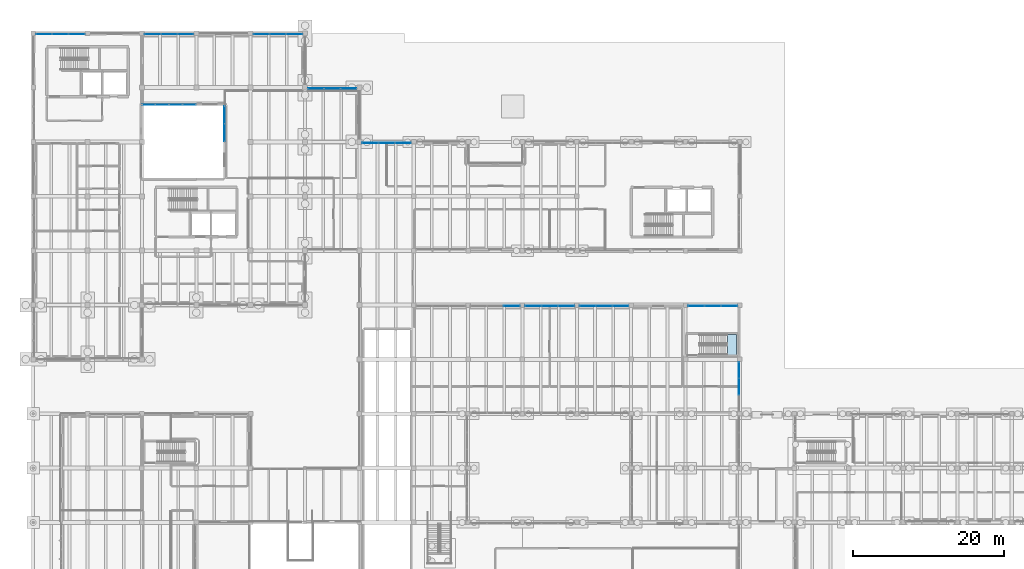
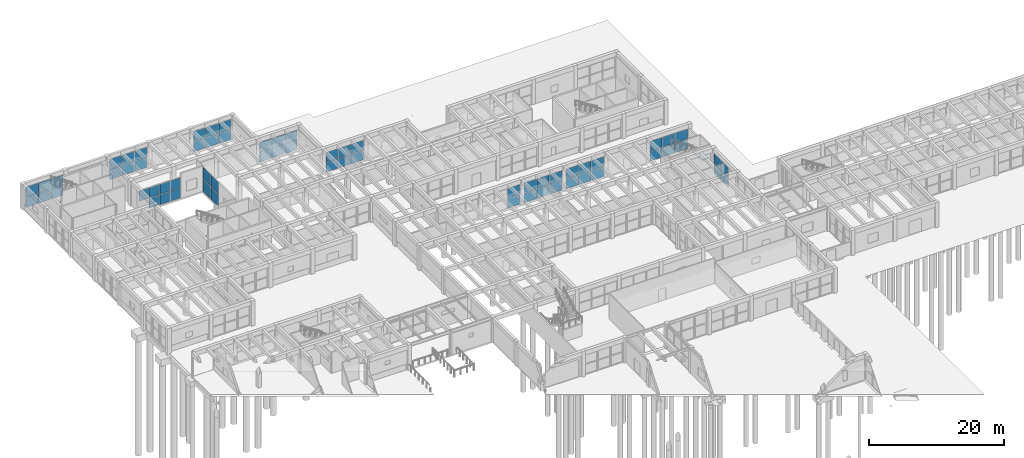
# One storey, part 114 of 155: 65 plates, 1 slab, 13 elements without a shape of their own.
"""IFC4 building model written with IfcOpenShell, lengths in metres."""

from ifc_helpers import new_model, si_unit, direction, frame, origin, origin_2d, place, context, subcontext, project, spatial, polyline, rectangle, outline, extrude, material, layer, layer_set, type_object, element, aggregate, save


model = new_model("IFC4")

# Units and contexts
model_context = context("Model", 3, precision=1e-05, world=origin(), true_north=direction((0.0, 1.0)))
body_context = subcontext(model_context, "Body", "Model", "MODEL_VIEW")
ifc_project = project(units=[si_unit("LENGTHUNIT", "METRE"), si_unit("AREAUNIT", "SQUARE_METRE"), si_unit("VOLUMEUNIT", "CUBIC_METRE"), si_unit("PLANEANGLEUNIT", "RADIAN"), si_unit("MASSUNIT", "GRAM", prefix="KILO")], contexts=[model_context])

# Site, building, storey
site_placement = place(None, origin())
site = spatial("IfcSite", under=ifc_project, at=site_placement, CompositionType="ELEMENT")
building_placement = place(site_placement, origin())
building = spatial("IfcBuilding", under=site, at=building_placement, Name="Bramvelor Terrace Health Centre", CompositionType="ELEMENT")
storey_placement = place(building_placement, origin())
storey = spatial("IfcBuildingStorey", under=building, at=storey_placement, Name="L01", CompositionType="ELEMENT", Elevation=0.0)

# Curtain wall, plates
ifc_material_1 = material(Name="Anodized aluminium and double low-E glass", Category="aluminium")
curtain_wall_type_1 = type_object("IfcCurtainWallType", Name="CW-SYS-05", PredefinedType="NOTDEFINED", material=ifc_material_1)
curtain_wall_1_placement = place(storey_placement, origin())
curtain_wall_1 = element("IfcCurtainWall", 1, at=curtain_wall_1_placement, inside=storey, type_object=curtain_wall_type_1, Name="L01 Unitized Curtain Wall 18", PredefinedType="NOTDEFINED")
ifc_material_2 = material(Name="Double low-E laminated glass", Category="glass")
ifc_layer_1 = layer(ifc_material_2, 0.028076171875)
ifc_layer_set_1 = layer_set([ifc_layer_1], Name="Double low-E laminated glass")
plate_type = type_object("IfcPlateType", Name="CW-PNL-GLZ28", PredefinedType="CURTAIN_PANEL", material=ifc_layer_set_1)
plate_1_placement = place(storey_placement, frame((1.43212890625, 115.070068359375, 0.06494140625), z_axis=(0.0, 0.0, 1.0), x_axis=(1.0, 0.0, 0.0)))
plate_1 = element("IfcPlate", 2, at=plate_1_placement, type_object=plate_type, Name="CW-05 panel 1.1", PredefinedType="CURTAIN_PANEL", context=body_context, shape_type="SweptSolid", body=[
    extrude(rectangle(XDim=2.07421875, YDim=0.028076171875, at=origin_2d()), origin(), (0.0, 0.0, 1.0), 1.8125),
])
plate_2_placement = place(storey_placement, frame((1.43212890625, 115.070068359375, 1.9423828125), z_axis=(0.0, 0.0, 1.0), x_axis=(1.0, 0.0, 0.0)))
plate_2 = element("IfcPlate", 3, at=plate_2_placement, type_object=plate_type, Name="CW-05 panel 1.2", PredefinedType="CURTAIN_PANEL", context=body_context, shape_type="SweptSolid", body=[
    extrude(rectangle(XDim=2.07421875, YDim=0.028076171875, at=origin_2d()), origin(), (0.0, 0.0, 1.0), 1.8125),
])
plate_3_placement = place(storey_placement, frame((3.60009765625, 115.070068359375, 0.06494140625), z_axis=(0.0, 0.0, 1.0), x_axis=(1.0, 0.0, 0.0)))
plate_3 = element("IfcPlate", 4, at=plate_3_placement, type_object=plate_type, Name="CW-05 panel 2.1", PredefinedType="CURTAIN_PANEL", context=body_context, shape_type="SweptSolid", body=[
    extrude(rectangle(XDim=2.111572265625, YDim=0.028076171875, at=origin_2d()), origin(), (0.0, 0.0, 1.0), 1.8125),
])
plate_4_placement = place(storey_placement, frame((3.60009765625, 115.070068359375, 1.9423828125), z_axis=(0.0, 0.0, 1.0), x_axis=(1.0, 0.0, 0.0)))
plate_4 = element("IfcPlate", 5, at=plate_4_placement, type_object=plate_type, Name="CW-05 panel 2.2", PredefinedType="CURTAIN_PANEL", context=body_context, shape_type="SweptSolid", body=[
    extrude(rectangle(XDim=2.111572265625, YDim=0.028076171875, at=origin_2d()), origin(), (0.0, 0.0, 1.0), 1.8125),
])
plate_5_placement = place(storey_placement, frame((5.767822265625, 115.070068359375, 0.06494140625), z_axis=(0.0, 0.0, 1.0), x_axis=(1.0, 0.0, 0.0)))
plate_5 = element("IfcPlate", 6, at=plate_5_placement, type_object=plate_type, Name="CW-05 panel 3.1", PredefinedType="CURTAIN_PANEL", context=body_context, shape_type="SweptSolid", body=[
    extrude(rectangle(XDim=2.07421875, YDim=0.028076171875, at=origin_2d()), origin(), (0.0, 0.0, 1.0), 1.8125),
])
plate_6_placement = place(storey_placement, frame((5.767822265625, 115.070068359375, 1.9423828125), z_axis=(0.0, 0.0, 1.0), x_axis=(1.0, 0.0, 0.0)))
plate_6 = element("IfcPlate", 7, at=plate_6_placement, type_object=plate_type, Name="CW-05 panel 3.2", PredefinedType="CURTAIN_PANEL", context=body_context, shape_type="SweptSolid", body=[
    extrude(rectangle(XDim=2.07421875, YDim=0.028076171875, at=origin_2d()), origin(), (0.0, 0.0, 1.0), 1.8125),
])
aggregate(curtain_wall_1, [plate_1, plate_2, plate_3, plate_4, plate_5, plate_6])

curtain_wall_2_placement = place(storey_placement, origin())
curtain_wall_2 = element("IfcCurtainWall", 8, at=curtain_wall_2_placement, inside=storey, type_object=curtain_wall_type_1, Name="L01 Unitized Curtain Wall 19", PredefinedType="NOTDEFINED")
plate_7_placement = place(storey_placement, frame((15.83203125, 115.070068359375, 0.06494140625), z_axis=(0.0, 0.0, 1.0), x_axis=(1.0, 0.0, 0.0)))
plate_7 = element("IfcPlate", 9, at=plate_7_placement, type_object=plate_type, Name="CW-05 panel 1.1", PredefinedType="CURTAIN_PANEL", context=body_context, shape_type="SweptSolid", body=[
    extrude(rectangle(XDim=2.07421875, YDim=0.028076171875, at=origin_2d()), origin(), (0.0, 0.0, 1.0), 1.8125),
])
plate_8_placement = place(storey_placement, frame((15.83203125, 115.070068359375, 1.9423828125), z_axis=(0.0, 0.0, 1.0), x_axis=(1.0, 0.0, 0.0)))
plate_8 = element("IfcPlate", 10, at=plate_8_placement, type_object=plate_type, Name="CW-05 panel 1.2", PredefinedType="CURTAIN_PANEL", context=body_context, shape_type="SweptSolid", body=[
    extrude(rectangle(XDim=2.07421875, YDim=0.028076171875, at=origin_2d()), origin(), (0.0, 0.0, 1.0), 1.8125),
])
plate_9_placement = place(storey_placement, frame((18.0, 115.070068359375, 0.06494140625), z_axis=(0.0, 0.0, 1.0), x_axis=(1.0, 0.0, 0.0)))
plate_9 = element("IfcPlate", 11, at=plate_9_placement, type_object=plate_type, Name="CW-05 panel 2.1", PredefinedType="CURTAIN_PANEL", context=body_context, shape_type="SweptSolid", body=[
    extrude(rectangle(XDim=2.111572265625, YDim=0.028076171875, at=origin_2d()), origin(), (0.0, 0.0, 1.0), 1.8125),
])
plate_10_placement = place(storey_placement, frame((18.0, 115.070068359375, 1.9423828125), z_axis=(0.0, 0.0, 1.0), x_axis=(1.0, 0.0, 0.0)))
plate_10 = element("IfcPlate", 12, at=plate_10_placement, type_object=plate_type, Name="CW-05 panel 2.2", PredefinedType="CURTAIN_PANEL", context=body_context, shape_type="SweptSolid", body=[
    extrude(rectangle(XDim=2.111572265625, YDim=0.028076171875, at=origin_2d()), origin(), (0.0, 0.0, 1.0), 1.8125),
])
plate_11_placement = place(storey_placement, frame((20.16796875, 115.070068359375, 0.06494140625), z_axis=(0.0, 0.0, 1.0), x_axis=(1.0, 0.0, 0.0)))
plate_11 = element("IfcPlate", 13, at=plate_11_placement, type_object=plate_type, Name="CW-05 panel 3.1", PredefinedType="CURTAIN_PANEL", context=body_context, shape_type="SweptSolid", body=[
    extrude(rectangle(XDim=2.07421875, YDim=0.028076171875, at=origin_2d()), origin(), (0.0, 0.0, 1.0), 1.8125),
])
plate_12_placement = place(storey_placement, frame((20.16796875, 115.070068359375, 1.9423828125), z_axis=(0.0, 0.0, 1.0), x_axis=(1.0, 0.0, 0.0)))
plate_12 = element("IfcPlate", 14, at=plate_12_placement, type_object=plate_type, Name="CW-05 panel 3.2", PredefinedType="CURTAIN_PANEL", context=body_context, shape_type="SweptSolid", body=[
    extrude(rectangle(XDim=2.07421875, YDim=0.028076171875, at=origin_2d()), origin(), (0.0, 0.0, 1.0), 1.8125),
])
aggregate(curtain_wall_2, [plate_7, plate_8, plate_9, plate_10, plate_11, plate_12])

curtain_wall_3_placement = place(storey_placement, origin())
curtain_wall_3 = element("IfcCurtainWall", 15, at=curtain_wall_3_placement, inside=storey, type_object=curtain_wall_type_1, Name="L01 Unitized Curtain Wall 20", PredefinedType="NOTDEFINED")
plate_13_placement = place(storey_placement, frame((30.232177734375, 115.070068359375, 0.06494140625), z_axis=(0.0, 0.0, 1.0), x_axis=(1.0, 0.0, 0.0)))
plate_13 = element("IfcPlate", 16, at=plate_13_placement, type_object=plate_type, Name="CW-05 panel 1.1", PredefinedType="CURTAIN_PANEL", context=body_context, shape_type="SweptSolid", body=[
    extrude(rectangle(XDim=2.07421875, YDim=0.028076171875, at=origin_2d()), origin(), (0.0, 0.0, 1.0), 1.8125),
])
plate_14_placement = place(storey_placement, frame((30.232177734375, 115.070068359375, 1.9423828125), z_axis=(0.0, 0.0, 1.0), x_axis=(1.0, 0.0, 0.0)))
plate_14 = element("IfcPlate", 17, at=plate_14_placement, type_object=plate_type, Name="CW-05 panel 1.2", PredefinedType="CURTAIN_PANEL", context=body_context, shape_type="SweptSolid", body=[
    extrude(rectangle(XDim=2.07421875, YDim=0.028076171875, at=origin_2d()), origin(), (0.0, 0.0, 1.0), 1.8125),
])
plate_15_placement = place(storey_placement, frame((32.39990234375, 115.070068359375, 0.06494140625), z_axis=(0.0, 0.0, 1.0), x_axis=(1.0, 0.0, 0.0)))
plate_15 = element("IfcPlate", 18, at=plate_15_placement, type_object=plate_type, Name="CW-05 panel 2.1", PredefinedType="CURTAIN_PANEL", context=body_context, shape_type="SweptSolid", body=[
    extrude(rectangle(XDim=2.111572265625, YDim=0.028076171875, at=origin_2d()), origin(), (0.0, 0.0, 1.0), 1.8125),
])
plate_16_placement = place(storey_placement, frame((32.39990234375, 115.070068359375, 1.9423828125), z_axis=(0.0, 0.0, 1.0), x_axis=(1.0, 0.0, 0.0)))
plate_16 = element("IfcPlate", 19, at=plate_16_placement, type_object=plate_type, Name="CW-05 panel 2.2", PredefinedType="CURTAIN_PANEL", context=body_context, shape_type="SweptSolid", body=[
    extrude(rectangle(XDim=2.111572265625, YDim=0.028076171875, at=origin_2d()), origin(), (0.0, 0.0, 1.0), 1.8125),
])
plate_17_placement = place(storey_placement, frame((34.56787109375, 115.070068359375, 0.06494140625), z_axis=(0.0, 0.0, 1.0), x_axis=(1.0, 0.0, 0.0)))
plate_17 = element("IfcPlate", 20, at=plate_17_placement, type_object=plate_type, Name="CW-05 panel 3.1", PredefinedType="CURTAIN_PANEL", context=body_context, shape_type="SweptSolid", body=[
    extrude(rectangle(XDim=2.07421875, YDim=0.028076171875, at=origin_2d()), origin(), (0.0, 0.0, 1.0), 1.8125),
])
plate_18_placement = place(storey_placement, frame((34.56787109375, 115.070068359375, 1.9423828125), z_axis=(0.0, 0.0, 1.0), x_axis=(1.0, 0.0, 0.0)))
plate_18 = element("IfcPlate", 21, at=plate_18_placement, type_object=plate_type, Name="CW-05 panel 3.2", PredefinedType="CURTAIN_PANEL", context=body_context, shape_type="SweptSolid", body=[
    extrude(rectangle(XDim=2.07421875, YDim=0.028076171875, at=origin_2d()), origin(), (0.0, 0.0, 1.0), 1.8125),
])
aggregate(curtain_wall_3, [plate_13, plate_14, plate_15, plate_16, plate_17, plate_18])

ifc_material_3 = material(Name="Anodized aluminium and double low-E glass", Category="aluminium")
curtain_wall_type_2 = type_object("IfcCurtainWallType", Name="CW-SYS-02", PredefinedType="NOTDEFINED", material=ifc_material_3)
curtain_wall_4_placement = place(storey_placement, origin())
curtain_wall_4 = element("IfcCurtainWall", 22, at=curtain_wall_4_placement, inside=storey, type_object=curtain_wall_type_2, Name="L01 Unitized Curtain Wall 21", PredefinedType="NOTDEFINED")
plate_19_placement = place(storey_placement, frame((37.43212890625, 107.8701171875, 0.06494140625), z_axis=(0.0, 0.0, 1.0), x_axis=(1.0, 0.0, 0.0)))
plate_19 = element("IfcPlate", 23, at=plate_19_placement, type_object=plate_type, Name="CW-02 panel 1.1", PredefinedType="CURTAIN_PANEL", context=body_context, shape_type="SweptSolid", body=[
    extrude(rectangle(XDim=2.07421875, YDim=0.028076171875, at=origin_2d()), origin(), (0.0, 0.0, 1.0), 1.762451171875),
])
plate_20_placement = place(storey_placement, frame((37.43212890625, 107.8701171875, 1.892578125), z_axis=(0.0, 0.0, 1.0), x_axis=(1.0, 0.0, 0.0)))
plate_20 = element("IfcPlate", 24, at=plate_20_placement, type_object=plate_type, Name="CW-02 panel 1.2", PredefinedType="CURTAIN_PANEL", context=body_context, shape_type="SweptSolid", body=[
    extrude(rectangle(XDim=2.07421875, YDim=0.028076171875, at=origin_2d()), origin(), (0.0, 0.0, 1.0), 1.762451171875),
])
plate_21_placement = place(storey_placement, frame((39.60009765625, 107.8701171875, 0.06494140625), z_axis=(0.0, 0.0, 1.0), x_axis=(1.0, 0.0, 0.0)))
plate_21 = element("IfcPlate", 25, at=plate_21_placement, type_object=plate_type, Name="CW-02 panel 2.1", PredefinedType="CURTAIN_PANEL", context=body_context, shape_type="SweptSolid", body=[
    extrude(rectangle(XDim=2.111572265625, YDim=0.028076171875, at=origin_2d()), origin(), (0.0, 0.0, 1.0), 1.762451171875),
])
plate_22_placement = place(storey_placement, frame((39.60009765625, 107.8701171875, 1.892578125), z_axis=(0.0, 0.0, 1.0), x_axis=(1.0, 0.0, 0.0)))
plate_22 = element("IfcPlate", 26, at=plate_22_placement, type_object=plate_type, Name="CW-02 panel 2.2", PredefinedType="CURTAIN_PANEL", context=body_context, shape_type="SweptSolid", body=[
    extrude(rectangle(XDim=2.111572265625, YDim=0.028076171875, at=origin_2d()), origin(), (0.0, 0.0, 1.0), 1.762451171875),
])
plate_23_placement = place(storey_placement, frame((41.767822265625, 107.8701171875, 0.06494140625), z_axis=(0.0, 0.0, 1.0), x_axis=(1.0, 0.0, 0.0)))
plate_23 = element("IfcPlate", 27, at=plate_23_placement, type_object=plate_type, Name="CW-02 panel 3.1", PredefinedType="CURTAIN_PANEL", context=body_context, shape_type="SweptSolid", body=[
    extrude(rectangle(XDim=2.07421875, YDim=0.028076171875, at=origin_2d()), origin(), (0.0, 0.0, 1.0), 1.762451171875),
])
plate_24_placement = place(storey_placement, frame((41.767822265625, 107.8701171875, 1.892578125), z_axis=(0.0, 0.0, 1.0), x_axis=(1.0, 0.0, 0.0)))
plate_24 = element("IfcPlate", 28, at=plate_24_placement, type_object=plate_type, Name="CW-02 panel 3.2", PredefinedType="CURTAIN_PANEL", context=body_context, shape_type="SweptSolid", body=[
    extrude(rectangle(XDim=2.07421875, YDim=0.028076171875, at=origin_2d()), origin(), (0.0, 0.0, 1.0), 1.762451171875),
])
aggregate(curtain_wall_4, [plate_19, plate_20, plate_21, plate_22, plate_23, plate_24])

curtain_wall_5_placement = place(storey_placement, origin())
curtain_wall_5 = element("IfcCurtainWall", 29, at=curtain_wall_5_placement, inside=storey, type_object=curtain_wall_type_2, Name="L01 Unitized Curtain Wall 22", PredefinedType="NOTDEFINED")
plate_25_placement = place(storey_placement, frame((44.63623046875, 100.669921875, 0.06494140625), z_axis=(0.0, 0.0, 1.0), x_axis=(1.0, 0.0, 0.0)))
plate_25 = element("IfcPlate", 30, at=plate_25_placement, type_object=plate_type, Name="CW-02 panel 1.1", PredefinedType="CURTAIN_PANEL", context=body_context, shape_type="SweptSolid", body=[
    extrude(rectangle(XDim=2.08251953125, YDim=0.028076171875, at=origin_2d()), origin(), (0.0, 0.0, 1.0), 1.74755859375),
])
plate_26_placement = place(storey_placement, frame((44.63623046875, 100.669921875, 1.87744140625), z_axis=(0.0, 0.0, 1.0), x_axis=(1.0, 0.0, 0.0)))
plate_26 = element("IfcPlate", 31, at=plate_26_placement, type_object=plate_type, Name="CW-02 panel 1.2", PredefinedType="CURTAIN_PANEL", context=body_context, shape_type="SweptSolid", body=[
    extrude(rectangle(XDim=2.08251953125, YDim=0.028076171875, at=origin_2d()), origin(), (0.0, 0.0, 1.0), 1.74755859375),
])
plate_27_placement = place(storey_placement, frame((46.8125, 100.669921875, 0.06494140625), z_axis=(0.0, 0.0, 1.0), x_axis=(1.0, 0.0, 0.0)))
plate_27 = element("IfcPlate", 32, at=plate_27_placement, type_object=plate_type, Name="CW-02 panel 2.1", PredefinedType="CURTAIN_PANEL", context=body_context, shape_type="SweptSolid", body=[
    extrude(rectangle(XDim=2.1201171875, YDim=0.028076171875, at=origin_2d()), origin(), (0.0, 0.0, 1.0), 1.74755859375),
])
plate_28_placement = place(storey_placement, frame((46.8125, 100.669921875, 1.87744140625), z_axis=(0.0, 0.0, 1.0), x_axis=(1.0, 0.0, 0.0)))
plate_28 = element("IfcPlate", 33, at=plate_28_placement, type_object=plate_type, Name="CW-02 panel 2.2", PredefinedType="CURTAIN_PANEL", context=body_context, shape_type="SweptSolid", body=[
    extrude(rectangle(XDim=2.1201171875, YDim=0.028076171875, at=origin_2d()), origin(), (0.0, 0.0, 1.0), 1.74755859375),
])
plate_29_placement = place(storey_placement, frame((48.98876953125, 100.669921875, 0.06494140625), z_axis=(0.0, 0.0, 1.0), x_axis=(1.0, 0.0, 0.0)))
plate_29 = element("IfcPlate", 34, at=plate_29_placement, type_object=plate_type, Name="CW-02 panel 3.1", PredefinedType="CURTAIN_PANEL", context=body_context, shape_type="SweptSolid", body=[
    extrude(rectangle(XDim=2.08251953125, YDim=0.028076171875, at=origin_2d()), origin(), (0.0, 0.0, 1.0), 1.74755859375),
])
plate_30_placement = place(storey_placement, frame((48.98876953125, 100.669921875, 1.87744140625), z_axis=(0.0, 0.0, 1.0), x_axis=(1.0, 0.0, 0.0)))
plate_30 = element("IfcPlate", 35, at=plate_30_placement, type_object=plate_type, Name="CW-02 panel 3.2", PredefinedType="CURTAIN_PANEL", context=body_context, shape_type="SweptSolid", body=[
    extrude(rectangle(XDim=2.08251953125, YDim=0.028076171875, at=origin_2d()), origin(), (0.0, 0.0, 1.0), 1.74755859375),
])
aggregate(curtain_wall_5, [plate_25, plate_26, plate_27, plate_28, plate_29, plate_30])

curtain_wall_6_placement = place(storey_placement, origin())
curtain_wall_6 = element("IfcCurtainWall", 36, at=curtain_wall_6_placement, inside=storey, type_object=curtain_wall_type_2, Name="L01 Unitized Curtain Wall 30", PredefinedType="NOTDEFINED")
plate_31_placement = place(storey_placement, frame((63.384521484375, 79.070068359375, 0.06494140625), z_axis=(0.0, 0.0, 1.0), x_axis=(1.0, 0.0, 0.0)))
plate_31 = element("IfcPlate", 37, at=plate_31_placement, type_object=plate_type, Name="CW-02 panel 3.1", PredefinedType="CURTAIN_PANEL", context=body_context, shape_type="SweptSolid", body=[
    extrude(rectangle(XDim=2.0908203125, YDim=0.028076171875, at=origin_2d()), origin(), (0.0, 0.0, 1.0), 1.762451171875),
])
plate_32_placement = place(storey_placement, frame((63.384521484375, 79.070068359375, 1.892578125), z_axis=(0.0, 0.0, 1.0), x_axis=(1.0, 0.0, 0.0)))
plate_32 = element("IfcPlate", 38, at=plate_32_placement, type_object=plate_type, Name="CW-02 panel 3.2", PredefinedType="CURTAIN_PANEL", context=body_context, shape_type="SweptSolid", body=[
    extrude(rectangle(XDim=2.0908203125, YDim=0.028076171875, at=origin_2d()), origin(), (0.0, 0.0, 1.0), 1.762451171875),
])
aggregate(curtain_wall_6, [plate_31, plate_32])

curtain_wall_7_placement = place(storey_placement, origin())
curtain_wall_7 = element("IfcCurtainWall", 39, at=curtain_wall_7_placement, inside=storey, type_object=curtain_wall_type_2, Name="L01 Unitized Curtain Wall 31", PredefinedType="NOTDEFINED")
plate_33_placement = place(storey_placement, frame((66.21533203125, 79.070068359375, 0.06494140625), z_axis=(0.0, 0.0, 1.0), x_axis=(1.0, 0.0, 0.0)))
plate_33 = element("IfcPlate", 40, at=plate_33_placement, type_object=plate_type, Name="CW-02 panel 1.1", PredefinedType="CURTAIN_PANEL", context=body_context, shape_type="SweptSolid", body=[
    extrude(rectangle(XDim=2.0908203125, YDim=0.028076171875, at=origin_2d()), origin(), (0.0, 0.0, 1.0), 1.762451171875),
])
plate_34_placement = place(storey_placement, frame((66.21533203125, 79.070068359375, 1.892578125), z_axis=(0.0, 0.0, 1.0), x_axis=(1.0, 0.0, 0.0)))
plate_34 = element("IfcPlate", 41, at=plate_34_placement, type_object=plate_type, Name="CW-02 panel 1.2", PredefinedType="CURTAIN_PANEL", context=body_context, shape_type="SweptSolid", body=[
    extrude(rectangle(XDim=2.0908203125, YDim=0.028076171875, at=origin_2d()), origin(), (0.0, 0.0, 1.0), 1.762451171875),
])
plate_35_placement = place(storey_placement, frame((68.39990234375, 79.070068359375, 0.06494140625), z_axis=(0.0, 0.0, 1.0), x_axis=(1.0, 0.0, 0.0)))
plate_35 = element("IfcPlate", 42, at=plate_35_placement, type_object=plate_type, Name="CW-02 panel 2.1", PredefinedType="CURTAIN_PANEL", context=body_context, shape_type="SweptSolid", body=[
    extrude(rectangle(XDim=2.12841796875, YDim=0.028076171875, at=origin_2d()), origin(), (0.0, 0.0, 1.0), 1.762451171875),
])
plate_36_placement = place(storey_placement, frame((68.39990234375, 79.070068359375, 1.892578125), z_axis=(0.0, 0.0, 1.0), x_axis=(1.0, 0.0, 0.0)))
plate_36 = element("IfcPlate", 43, at=plate_36_placement, type_object=plate_type, Name="CW-02 panel 2.2", PredefinedType="CURTAIN_PANEL", context=body_context, shape_type="SweptSolid", body=[
    extrude(rectangle(XDim=2.12841796875, YDim=0.028076171875, at=origin_2d()), origin(), (0.0, 0.0, 1.0), 1.762451171875),
])
plate_37_placement = place(storey_placement, frame((70.58447265625, 79.070068359375, 0.06494140625), z_axis=(0.0, 0.0, 1.0), x_axis=(1.0, 0.0, 0.0)))
plate_37 = element("IfcPlate", 44, at=plate_37_placement, type_object=plate_type, Name="CW-02 panel 3.1", PredefinedType="CURTAIN_PANEL", context=body_context, shape_type="SweptSolid", body=[
    extrude(rectangle(XDim=2.0908203125, YDim=0.028076171875, at=origin_2d()), origin(), (0.0, 0.0, 1.0), 1.762451171875),
])
plate_38_placement = place(storey_placement, frame((70.58447265625, 79.070068359375, 1.892578125), z_axis=(0.0, 0.0, 1.0), x_axis=(1.0, 0.0, 0.0)))
plate_38 = element("IfcPlate", 45, at=plate_38_placement, type_object=plate_type, Name="CW-02 panel 3.2", PredefinedType="CURTAIN_PANEL", context=body_context, shape_type="SweptSolid", body=[
    extrude(rectangle(XDim=2.0908203125, YDim=0.028076171875, at=origin_2d()), origin(), (0.0, 0.0, 1.0), 1.762451171875),
])
aggregate(curtain_wall_7, [plate_33, plate_34, plate_35, plate_36, plate_37, plate_38])

curtain_wall_8_placement = place(storey_placement, origin())
curtain_wall_8 = element("IfcCurtainWall", 46, at=curtain_wall_8_placement, inside=storey, type_object=curtain_wall_type_2, Name="L01 Unitized Curtain Wall 32", PredefinedType="NOTDEFINED")
plate_39_placement = place(storey_placement, frame((73.41552734375, 79.070068359375, 0.06494140625), z_axis=(0.0, 0.0, 1.0), x_axis=(1.0, 0.0, 0.0)))
plate_39 = element("IfcPlate", 47, at=plate_39_placement, type_object=plate_type, Name="CW-02 panel 1.1", PredefinedType="CURTAIN_PANEL", context=body_context, shape_type="SweptSolid", body=[
    extrude(rectangle(XDim=2.0908203125, YDim=0.028076171875, at=origin_2d()), origin(), (0.0, 0.0, 1.0), 1.762451171875),
])
plate_40_placement = place(storey_placement, frame((73.41552734375, 79.070068359375, 1.892578125), z_axis=(0.0, 0.0, 1.0), x_axis=(1.0, 0.0, 0.0)))
plate_40 = element("IfcPlate", 48, at=plate_40_placement, type_object=plate_type, Name="CW-02 panel 1.2", PredefinedType="CURTAIN_PANEL", context=body_context, shape_type="SweptSolid", body=[
    extrude(rectangle(XDim=2.0908203125, YDim=0.028076171875, at=origin_2d()), origin(), (0.0, 0.0, 1.0), 1.762451171875),
])
plate_41_placement = place(storey_placement, frame((75.60009765625, 79.070068359375, 0.06494140625), z_axis=(0.0, 0.0, 1.0), x_axis=(1.0, 0.0, 0.0)))
plate_41 = element("IfcPlate", 49, at=plate_41_placement, type_object=plate_type, Name="CW-02 panel 2.1", PredefinedType="CURTAIN_PANEL", context=body_context, shape_type="SweptSolid", body=[
    extrude(rectangle(XDim=2.12841796875, YDim=0.028076171875, at=origin_2d()), origin(), (0.0, 0.0, 1.0), 1.762451171875),
])
plate_42_placement = place(storey_placement, frame((75.60009765625, 79.070068359375, 1.892578125), z_axis=(0.0, 0.0, 1.0), x_axis=(1.0, 0.0, 0.0)))
plate_42 = element("IfcPlate", 50, at=plate_42_placement, type_object=plate_type, Name="CW-02 panel 2.2", PredefinedType="CURTAIN_PANEL", context=body_context, shape_type="SweptSolid", body=[
    extrude(rectangle(XDim=2.12841796875, YDim=0.028076171875, at=origin_2d()), origin(), (0.0, 0.0, 1.0), 1.762451171875),
])
plate_43_placement = place(storey_placement, frame((77.78466796875, 79.070068359375, 0.06494140625), z_axis=(0.0, 0.0, 1.0), x_axis=(1.0, 0.0, 0.0)))
plate_43 = element("IfcPlate", 51, at=plate_43_placement, type_object=plate_type, Name="CW-02 panel 3.1", PredefinedType="CURTAIN_PANEL", context=body_context, shape_type="SweptSolid", body=[
    extrude(rectangle(XDim=2.0908203125, YDim=0.028076171875, at=origin_2d()), origin(), (0.0, 0.0, 1.0), 1.762451171875),
])
plate_44_placement = place(storey_placement, frame((77.78466796875, 79.070068359375, 1.892578125), z_axis=(0.0, 0.0, 1.0), x_axis=(1.0, 0.0, 0.0)))
plate_44 = element("IfcPlate", 52, at=plate_44_placement, type_object=plate_type, Name="CW-02 panel 3.2", PredefinedType="CURTAIN_PANEL", context=body_context, shape_type="SweptSolid", body=[
    extrude(rectangle(XDim=2.0908203125, YDim=0.028076171875, at=origin_2d()), origin(), (0.0, 0.0, 1.0), 1.762451171875),
])
aggregate(curtain_wall_8, [plate_39, plate_40, plate_41, plate_42, plate_43, plate_44])

curtain_wall_9_placement = place(storey_placement, origin())
curtain_wall_9 = element("IfcCurtainWall", 53, at=curtain_wall_9_placement, inside=storey, type_object=curtain_wall_type_2, Name="L01 Unitized Curtain Wall 33", PredefinedType="NOTDEFINED")
plate_45_placement = place(storey_placement, frame((87.8154296875, 79.070068359375, 0.06494140625), z_axis=(0.0, 0.0, 1.0), x_axis=(1.0, 0.0, 0.0)))
plate_45 = element("IfcPlate", 54, at=plate_45_placement, type_object=plate_type, Name="CW-02 panel 1.1", PredefinedType="CURTAIN_PANEL", context=body_context, shape_type="SweptSolid", body=[
    extrude(rectangle(XDim=2.0908203125, YDim=0.028076171875, at=origin_2d()), origin(), (0.0, 0.0, 1.0), 1.762451171875),
])
plate_46_placement = place(storey_placement, frame((87.8154296875, 79.070068359375, 1.892578125), z_axis=(0.0, 0.0, 1.0), x_axis=(1.0, 0.0, 0.0)))
plate_46 = element("IfcPlate", 55, at=plate_46_placement, type_object=plate_type, Name="CW-02 panel 1.2", PredefinedType="CURTAIN_PANEL", context=body_context, shape_type="SweptSolid", body=[
    extrude(rectangle(XDim=2.0908203125, YDim=0.028076171875, at=origin_2d()), origin(), (0.0, 0.0, 1.0), 1.762451171875),
])
plate_47_placement = place(storey_placement, frame((90.0, 79.070068359375, 0.06494140625), z_axis=(0.0, 0.0, 1.0), x_axis=(1.0, 0.0, 0.0)))
plate_47 = element("IfcPlate", 56, at=plate_47_placement, type_object=plate_type, Name="CW-02 panel 2.1", PredefinedType="CURTAIN_PANEL", context=body_context, shape_type="SweptSolid", body=[
    extrude(rectangle(XDim=2.12841796875, YDim=0.028076171875, at=origin_2d()), origin(), (0.0, 0.0, 1.0), 1.762451171875),
])
plate_48_placement = place(storey_placement, frame((90.0, 79.070068359375, 1.892578125), z_axis=(0.0, 0.0, 1.0), x_axis=(1.0, 0.0, 0.0)))
plate_48 = element("IfcPlate", 57, at=plate_48_placement, type_object=plate_type, Name="CW-02 panel 2.2", PredefinedType="CURTAIN_PANEL", context=body_context, shape_type="SweptSolid", body=[
    extrude(rectangle(XDim=2.12841796875, YDim=0.028076171875, at=origin_2d()), origin(), (0.0, 0.0, 1.0), 1.762451171875),
])
plate_49_placement = place(storey_placement, frame((92.1845703125, 79.070068359375, 0.06494140625), z_axis=(0.0, 0.0, 1.0), x_axis=(1.0, 0.0, 0.0)))
plate_49 = element("IfcPlate", 58, at=plate_49_placement, type_object=plate_type, Name="CW-02 panel 3.1", PredefinedType="CURTAIN_PANEL", context=body_context, shape_type="SweptSolid", body=[
    extrude(rectangle(XDim=2.0908203125, YDim=0.028076171875, at=origin_2d()), origin(), (0.0, 0.0, 1.0), 1.762451171875),
])
plate_50_placement = place(storey_placement, frame((92.1845703125, 79.070068359375, 1.892578125), z_axis=(0.0, 0.0, 1.0), x_axis=(1.0, 0.0, 0.0)))
plate_50 = element("IfcPlate", 59, at=plate_50_placement, type_object=plate_type, Name="CW-02 panel 3.2", PredefinedType="CURTAIN_PANEL", context=body_context, shape_type="SweptSolid", body=[
    extrude(rectangle(XDim=2.0908203125, YDim=0.028076171875, at=origin_2d()), origin(), (0.0, 0.0, 1.0), 1.762451171875),
])
aggregate(curtain_wall_9, [plate_45, plate_46, plate_47, plate_48, plate_49, plate_50])

curtain_wall_10_placement = place(storey_placement, origin())
curtain_wall_10 = element("IfcCurtainWall", 60, at=curtain_wall_10_placement, inside=storey, type_object=curtain_wall_type_2, Name="L01 Unitized Curtain Wall 34", PredefinedType="NOTDEFINED")
plate_51_placement = place(storey_placement, frame((93.469970703125, 70.58447265625, 0.06494140625), z_axis=(0.0, 0.0, 1.0), x_axis=(0.0, -1.0, 0.0)))
plate_51 = element("IfcPlate", 61, at=plate_51_placement, type_object=plate_type, Name="CW-02 panel 1.1", PredefinedType="CURTAIN_PANEL", context=body_context, shape_type="SweptSolid", body=[
    extrude(rectangle(XDim=2.0908203125, YDim=0.028076171875, at=origin_2d()), origin(), (0.0, 0.0, 1.0), 1.762451171875),
])
plate_52_placement = place(storey_placement, frame((93.469970703125, 70.58447265625, 1.892578125), z_axis=(0.0, 0.0, 1.0), x_axis=(0.0, -1.0, 0.0)))
plate_52 = element("IfcPlate", 62, at=plate_52_placement, type_object=plate_type, Name="CW-02 panel 1.2", PredefinedType="CURTAIN_PANEL", context=body_context, shape_type="SweptSolid", body=[
    extrude(rectangle(XDim=2.0908203125, YDim=0.028076171875, at=origin_2d()), origin(), (0.0, 0.0, 1.0), 1.762451171875),
])
plate_53_placement = place(storey_placement, frame((93.469970703125, 68.39990234375, 0.06494140625), z_axis=(0.0, 0.0, 1.0), x_axis=(0.0, -1.0, 0.0)))
plate_53 = element("IfcPlate", 63, at=plate_53_placement, type_object=plate_type, Name="CW-02 panel 2.1", PredefinedType="CURTAIN_PANEL", context=body_context, shape_type="SweptSolid", body=[
    extrude(rectangle(XDim=2.12841796875, YDim=0.028076171875, at=origin_2d()), origin(), (0.0, 0.0, 1.0), 1.762451171875),
])
plate_54_placement = place(storey_placement, frame((93.469970703125, 68.39990234375, 1.892578125), z_axis=(0.0, 0.0, 1.0), x_axis=(0.0, -1.0, 0.0)))
plate_54 = element("IfcPlate", 64, at=plate_54_placement, type_object=plate_type, Name="CW-02 panel 2.2", PredefinedType="CURTAIN_PANEL", context=body_context, shape_type="SweptSolid", body=[
    extrude(rectangle(XDim=2.12841796875, YDim=0.028076171875, at=origin_2d()), origin(), (0.0, 0.0, 1.0), 1.762451171875),
])
aggregate(curtain_wall_10, [plate_51, plate_52, plate_53, plate_54])

ifc_material_4 = material(Name="Anodized aluminium and double low-E glass", Category="aluminium")
curtain_wall_type_3 = type_object("IfcCurtainWallType", Name="CW-SYS-09", PredefinedType="NOTDEFINED", material=ifc_material_4)
curtain_wall_11_placement = place(storey_placement, origin())
curtain_wall_11 = element("IfcCurtainWall", 65, at=curtain_wall_11_placement, inside=storey, type_object=curtain_wall_type_3, Name="L01 Unitized Curtain Wall 67", PredefinedType="NOTDEFINED")
plate_55_placement = place(storey_placement, frame((25.330078125, 102.023681640625, 0.06494140625), z_axis=(0.0, 0.0, 1.0), x_axis=(0.0, 1.0, 0.0)))
plate_55 = element("IfcPlate", 66, at=plate_55_placement, type_object=plate_type, Name="CW-09 panel 1.1", PredefinedType="CURTAIN_PANEL", context=body_context, shape_type="SweptSolid", body=[
    extrude(rectangle(XDim=2.297607421875, YDim=0.028076171875, at=origin_2d()), origin(), (0.0, 0.0, 1.0), 2.16748046875),
])
plate_56_placement = place(storey_placement, frame((25.330078125, 102.023681640625, 2.297607421875), z_axis=(0.0, 0.0, 1.0), x_axis=(0.0, 1.0, 0.0)))
plate_56 = element("IfcPlate", 67, at=plate_56_placement, type_object=plate_type, Name="CW-09 panel 1.2", PredefinedType="CURTAIN_PANEL", context=body_context, shape_type="SweptSolid", body=[
    extrude(rectangle(XDim=2.297607421875, YDim=0.028076171875, at=origin_2d()), origin(), (0.0, 0.0, 1.0), 2.16748046875),
])
plate_57_placement = place(storey_placement, frame((25.330078125, 104.396240234375, 0.06494140625), z_axis=(0.0, 0.0, 1.0), x_axis=(0.0, 1.0, 0.0)))
plate_57 = element("IfcPlate", 68, at=plate_57_placement, type_object=plate_type, Name="CW-09 panel 2.1", PredefinedType="CURTAIN_PANEL", context=body_context, shape_type="SweptSolid", body=[
    extrude(rectangle(XDim=2.297607421875, YDim=0.028076171875, at=origin_2d()), origin(), (0.0, 0.0, 1.0), 2.16748046875),
])
plate_58_placement = place(storey_placement, frame((25.330078125, 104.396240234375, 2.297607421875), z_axis=(0.0, 0.0, 1.0), x_axis=(0.0, 1.0, 0.0)))
plate_58 = element("IfcPlate", 69, at=plate_58_placement, type_object=plate_type, Name="CW-09 panel 2.2", PredefinedType="CURTAIN_PANEL", context=body_context, shape_type="SweptSolid", body=[
    extrude(rectangle(XDim=2.297607421875, YDim=0.028076171875, at=origin_2d()), origin(), (0.0, 0.0, 1.0), 2.16748046875),
])
aggregate(curtain_wall_11, [plate_55, plate_56, plate_57, plate_58])

ifc_material_5 = material(Name="Anodized aluminium and double low-E glass", Category="aluminium")
curtain_wall_type_4 = type_object("IfcCurtainWallType", Name="CW-SYS-10", PredefinedType="NOTDEFINED", material=ifc_material_5)
curtain_wall_12_placement = place(storey_placement, origin())
curtain_wall_12 = element("IfcCurtainWall", 70, at=curtain_wall_12_placement, inside=storey, type_object=curtain_wall_type_4, Name="L01 Unitized Curtain Wall 68", PredefinedType="NOTDEFINED")
plate_59_placement = place(storey_placement, frame((20.67626953125, 105.72998046875, 0.06494140625), z_axis=(0.0, 0.0, 1.0), x_axis=(-1.0, 0.0, 0.0)))
plate_59 = element("IfcPlate", 71, at=plate_59_placement, type_object=plate_type, Name="CW-10 panel 1.1", PredefinedType="CURTAIN_PANEL", context=body_context, shape_type="SweptSolid", body=[
    extrude(rectangle(XDim=1.697509765625, YDim=0.028076171875, at=origin_2d()), origin(), (0.0, 0.0, 1.0), 1.8125),
])
plate_60_placement = place(storey_placement, frame((20.67626953125, 105.72998046875, 1.9423828125), z_axis=(0.0, 0.0, 1.0), x_axis=(-1.0, 0.0, 0.0)))
plate_60 = element("IfcPlate", 72, at=plate_60_placement, type_object=plate_type, Name="CW-10 panel 1.2", PredefinedType="CURTAIN_PANEL", context=body_context, shape_type="SweptSolid", body=[
    extrude(rectangle(XDim=1.697509765625, YDim=0.028076171875, at=origin_2d()), origin(), (0.0, 0.0, 1.0), 1.8125),
])
plate_61_placement = place(storey_placement, frame((18.885009765625, 105.72998046875, 0.06494140625), z_axis=(0.0, 0.0, 1.0), x_axis=(-1.0, 0.0, 0.0)))
plate_61 = element("IfcPlate", 73, at=plate_61_placement, type_object=plate_type, Name="CW-10 panel 2.1", PredefinedType="CURTAIN_PANEL", context=body_context, shape_type="SweptSolid", body=[
    extrude(rectangle(XDim=1.735107421875, YDim=0.028076171875, at=origin_2d()), origin(), (0.0, 0.0, 1.0), 1.8125),
])
plate_62_placement = place(storey_placement, frame((18.885009765625, 105.72998046875, 1.9423828125), z_axis=(0.0, 0.0, 1.0), x_axis=(-1.0, 0.0, 0.0)))
plate_62 = element("IfcPlate", 74, at=plate_62_placement, type_object=plate_type, Name="CW-10 panel 2.2", PredefinedType="CURTAIN_PANEL", context=body_context, shape_type="SweptSolid", body=[
    extrude(rectangle(XDim=1.735107421875, YDim=0.028076171875, at=origin_2d()), origin(), (0.0, 0.0, 1.0), 1.8125),
])
plate_63_placement = place(storey_placement, frame((17.074951171875, 105.72998046875, 0.06494140625), z_axis=(0.0, 0.0, 1.0), x_axis=(-1.0, 0.0, 0.0)))
plate_63 = element("IfcPlate", 75, at=plate_63_placement, type_object=plate_type, Name="CW-10 panel 3.1", PredefinedType="CURTAIN_PANEL", context=body_context, shape_type="SweptSolid", body=[
    extrude(rectangle(XDim=1.735107421875, YDim=0.028076171875, at=origin_2d()), origin(), (0.0, 0.0, 1.0), 1.8125),
])
plate_64_placement = place(storey_placement, frame((17.074951171875, 105.72998046875, 1.9423828125), z_axis=(0.0, 0.0, 1.0), x_axis=(-1.0, 0.0, 0.0)))
plate_64 = element("IfcPlate", 76, at=plate_64_placement, type_object=plate_type, Name="CW-10 panel 3.2", PredefinedType="CURTAIN_PANEL", context=body_context, shape_type="SweptSolid", body=[
    extrude(rectangle(XDim=1.735107421875, YDim=0.028076171875, at=origin_2d()), origin(), (0.0, 0.0, 1.0), 1.8125),
])
plate_65_placement = place(storey_placement, frame((15.28369140625, 105.72998046875, 1.9423828125), z_axis=(0.0, 0.0, 1.0), x_axis=(-1.0, 0.0, 0.0)))
plate_65 = element("IfcPlate", 77, at=plate_65_placement, type_object=plate_type, Name="CW-10 panel 4.2", PredefinedType="CURTAIN_PANEL", context=body_context, shape_type="SweptSolid", body=[
    extrude(rectangle(XDim=1.697509765625, YDim=0.028076171875, at=origin_2d()), origin(), (0.0, 0.0, 1.0), 1.8125),
])
aggregate(curtain_wall_12, [plate_59, plate_60, plate_61, plate_62, plate_63, plate_64, plate_65])

# Stair, slab
ifc_material_6 = material(Name="Concrete C40/50", Category="concrete")
stair_type = type_object("IfcStairType", Name="STR-SEC", PredefinedType="HALF_TURN_STAIR", material=ifc_material_6)
stair_placement = place(storey_placement, origin())
stair = element("IfcStair", 78, at=stair_placement, inside=storey, type_object=stair_type, Name="L01 East Waiting Hall Exit Stair", PredefinedType="HALF_TURN_STAIR")
ifc_material_7 = material(Name="Concrete C40/50", Category="concrete")
ifc_layer_2 = layer(ifc_material_7, 0.199951171875)
ifc_layer_set_2 = layer_set([ifc_layer_2], Name="Concrete C40/50")
slab_type = type_object("IfcSlabType", Name="SLB-LND-200", PredefinedType="LANDING", material=ifc_layer_set_2)
slab_placement = place(storey_placement, frame((0.0, 0.0, 2.199951171875)))
slab = element("IfcSlab", 79, at=slab_placement, type_object=slab_type, Name="ST-8 landing 1", PredefinedType="LANDING", context=body_context, shape_type="SweptSolid", body=[
    extrude(outline(polyline([(91.925048828125, 72.60009765625), (93.175048828125, 72.60009765625), (93.175048828125, 75.300048828125), (91.925048828125, 75.300048828125), (91.925048828125, 72.60009765625)])), origin(), (0.0, 0.0, 1.0), 0.199951171875),
])
aggregate(stair, [slab])

save(model, "model.ifc")
